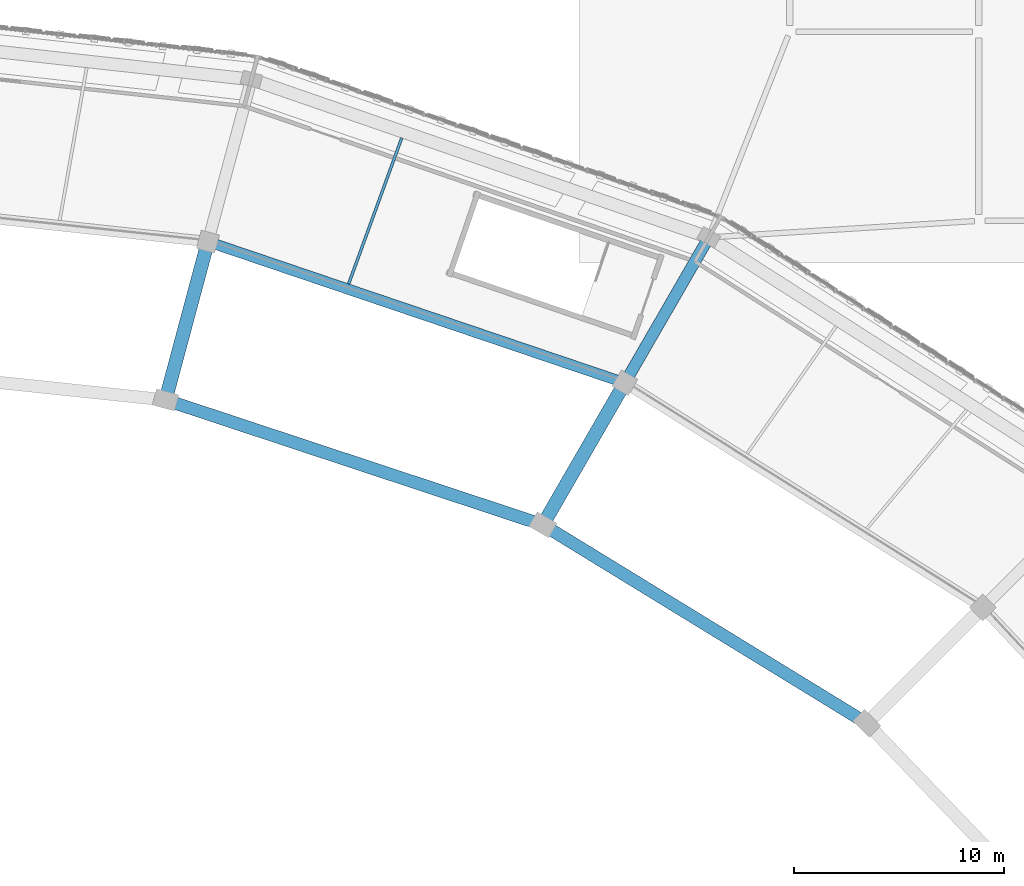
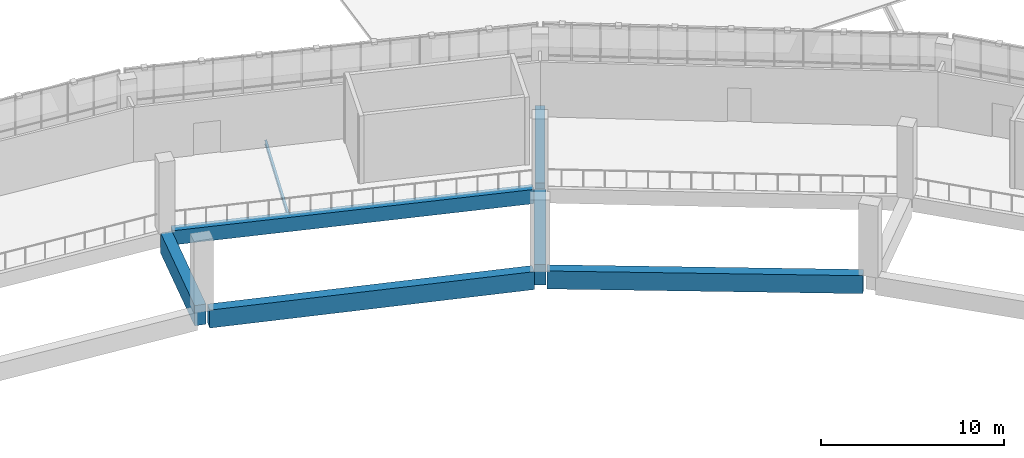
# One storey, part 42 of 108: 7 beams.
"""IFC4 building model written with IfcOpenShell, lengths in metres."""

from ifc_helpers import new_model, si_unit, direction, frame, origin, origin_2d, place, context, subcontext, project, spatial, rectangle, i_section, extrude, material, material_profile, profile_set, type_object, element, save


model = new_model("IFC4")

# Units and contexts
model_context = context("Model", 3, precision=1e-05, world=origin(), true_north=direction((0.0, 1.0)))
body_context = subcontext(model_context, "Body", "Model", "MODEL_VIEW")
ifc_project = project(units=[si_unit("LENGTHUNIT", "METRE"), si_unit("AREAUNIT", "SQUARE_METRE"), si_unit("VOLUMEUNIT", "CUBIC_METRE"), si_unit("PLANEANGLEUNIT", "RADIAN"), si_unit("MASSUNIT", "GRAM", prefix="KILO")], contexts=[model_context])

# Site, building, storey
site_placement = place(None, origin())
site = spatial("IfcSite", under=ifc_project, at=site_placement, CompositionType="ELEMENT")
building_placement = place(site_placement, origin())
building = spatial("IfcBuilding", under=site, at=building_placement, Name="Zevraka Park Crest Stadium", CompositionType="ELEMENT")
storey_placement = place(building_placement, frame((0.0, 0.0, 19.800048828125)))
storey = spatial("IfcBuildingStorey", under=building, at=storey_placement, Name="L04", CompositionType="ELEMENT", Elevation=19.800048828125)

# Beams
ifc_material_1 = material(Name="Concrete C40/50", Category="concrete")
ifc_material_profile_1 = material_profile(ifc_material_1, rectangle(XDim=0.64990234375, YDim=1.35009765625, at=origin_2d()), Name="RC 1350x650")
ifc_profile_set_1 = profile_set([ifc_material_profile_1], Name="Concrete C40/50")
beam_type_1 = type_object("IfcBeamType", Name="BG01", PredefinedType="BEAM", material=ifc_profile_set_1)
beam_1_placement = place(storey_placement, frame((149.39990234375, 143.7890625, -0.68505859375), z_axis=(0.500041424909, 0.866001485781, 0.0), x_axis=(-0.866001485781, 0.500041424909, 0.0)))
element("IfcBeam", 1, at=beam_1_placement, inside=storey, type_object=beam_type_1, Name="Radial Girder BG01 L04-BC-04", PredefinedType="BEAM", context=body_context, shape_type="SweptSolid", body=[
    extrude(rectangle(XDim=0.64990234375, YDim=1.35009765625, at=origin_2d()), origin(), (0.0, 0.0, 1.0), 7.19970703125),
])
beam_2_placement = place(storey_placement, frame((131.360107421875, 149.762939453125, -0.68505859375), z_axis=(0.258747385792, 0.965945024495, 0.0), x_axis=(-0.965945024495, 0.258747385792, 0.0)))
element("IfcBeam", 2, at=beam_2_placement, inside=storey, type_object=beam_type_1, Name="Radial Girder BG01 L04-BC-05", PredefinedType="BEAM", context=body_context, shape_type="SweptSolid", body=[
    extrude(rectangle(XDim=0.64990234375, YDim=1.35009765625, at=origin_2d()), origin(), (0.0, 0.0, 1.0), 7.19921875),
])
ifc_material_2 = material(Name="Concrete C40/50", Category="concrete")
ifc_material_profile_2 = material_profile(ifc_material_2, rectangle(XDim=0.550048828125, YDim=1.10009765625, at=origin_2d()), Name="RC 1100x550")
ifc_profile_set_2 = profile_set([ifc_material_profile_2], Name="Concrete C40/50")
beam_type_2 = type_object("IfcBeamType", Name="BG02", PredefinedType="BEAM", material=ifc_profile_set_2)
beam_3_placement = place(storey_placement, frame((153.300048828125, 150.5439453125, -0.56005859375), z_axis=(0.500031859608, 0.86600700885, 0.0), x_axis=(-0.86600700885, 0.500031859608, 0.0)))
element("IfcBeam", 3, at=beam_3_placement, inside=storey, type_object=beam_type_2, Name="Radial Girder BG02 L04-CD-04", PredefinedType="BEAM", context=body_context, shape_type="SweptSolid", body=[
    extrude(rectangle(XDim=0.550048828125, YDim=1.10009765625, at=origin_2d()), origin(), (0.0, 0.0, 1.0), 7.3994140625),
])
ifc_material_3 = material(Name="Concrete C40/50", Category="concrete")
ifc_material_profile_3 = material_profile(ifc_material_3, rectangle(XDim=0.60009765625, YDim=1.199951171875, at=origin_2d()), Name="RC 1200x600")
ifc_profile_set_3 = profile_set([ifc_material_profile_3], Name="Concrete C40/50")
beam_type_3 = type_object("IfcBeamType", Name="RB01", PredefinedType="BEAM", material=ifc_profile_set_3)
beam_4_placement = place(storey_placement, frame((164.35498046875, 134.27197265625, -0.610107421875), z_axis=(-0.852632623571, 0.522510869956, 0.0), x_axis=(-0.522510869956, -0.852632623571, 0.0)))
element("IfcBeam", 4, at=beam_4_placement, inside=storey, type_object=beam_type_3, Name="Ring Beam RB01 L04-B-03", PredefinedType="BEAM", context=body_context, shape_type="SweptSolid", body=[
    extrude(rectangle(XDim=0.60009765625, YDim=1.199951171875, at=origin_2d()), origin(), (0.0, 0.0, 1.0), 17.335693359375),
])
beam_5_placement = place(storey_placement, frame((148.888916015625, 143.64794921875, -0.610107421875), z_axis=(-0.949383863235, 0.314118258349, 0.0), x_axis=(-0.314118258349, -0.949383863235, 0.0)))
element("IfcBeam", 5, at=beam_5_placement, inside=storey, type_object=beam_type_3, Name="Ring Beam RB01 L04-B-04", PredefinedType="BEAM", context=body_context, shape_type="SweptSolid", body=[
    extrude(rectangle(XDim=0.60009765625, YDim=1.199951171875, at=origin_2d()), origin(), (0.0, 0.0, 1.0), 18.165283203125),
])
ifc_material_4 = material(Name="Concrete C40/50", Category="concrete")
ifc_material_profile_4 = material_profile(ifc_material_4, rectangle(XDim=0.5, YDim=0.949951171875, at=origin_2d()), Name="RC 950x500")
ifc_profile_set_4 = profile_set([ifc_material_profile_4], Name="Concrete C40/50")
beam_type_4 = type_object("IfcBeamType", Name="RB02", PredefinedType="BEAM", material=ifc_profile_set_4)
beam_6_placement = place(storey_placement, frame((152.7900390625, 150.406005859375, -0.485107421875), z_axis=(-0.947147952377, 0.320797064058, 0.0), x_axis=(-0.320797064058, -0.947147952377, 0.0)))
element("IfcBeam", 6, at=beam_6_placement, inside=storey, type_object=beam_type_4, Name="Ring Beam RB02 L04-C-04", PredefinedType="BEAM", context=body_context, shape_type="SweptSolid", body=[
    extrude(rectangle(XDim=0.5, YDim=0.949951171875, at=origin_2d()), origin(), (0.0, 0.0, 1.0), 20.196533203125),
])
ifc_material_5 = material(Name="Steel S355", Category="steel")
ifc_material_profile_5 = material_profile(ifc_material_5, i_section(OverallWidth=0.135009765625, OverallDepth=0.27001953125, WebThickness=0.006591796875, FlangeThickness=0.01025390625, at=origin_2d()), Name="IPE 270")
ifc_profile_set_5 = profile_set([ifc_material_profile_5], Name="Steel S355")
beam_type_5 = type_object("IfcBeamType", Name="SJ07", PredefinedType="JOIST", material=ifc_profile_set_5)
beam_7_placement = place(storey_placement, frame((140.0009765625, 154.99609375, -0.403076171875), z_axis=(0.341830495342, 0.939761625336, 0.0), x_axis=(-0.939761625336, 0.341830495342, 0.0)))
element("IfcBeam", 7, at=beam_7_placement, inside=storey, type_object=beam_type_5, Name="Floor Joist SJ07 L04-CD-04-2", PredefinedType="JOIST", context=body_context, shape_type="SweptSolid", body=[
    extrude(i_section(OverallWidth=0.135009765625, OverallDepth=0.27001953125, WebThickness=0.006591796875, FlangeThickness=0.01025390625, at=origin_2d()), origin(), (0.0, 0.0, 1.0), 7.3984375),
])

save(model, "model.ifc")
